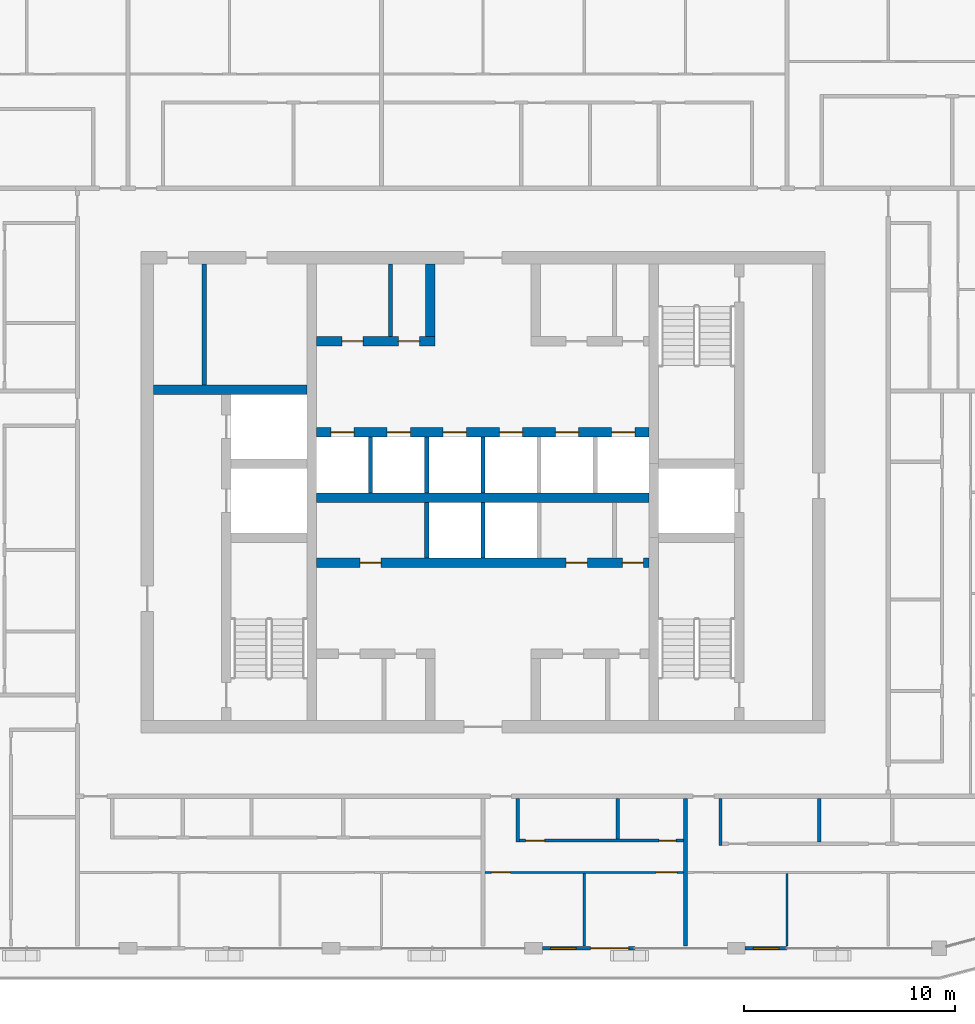
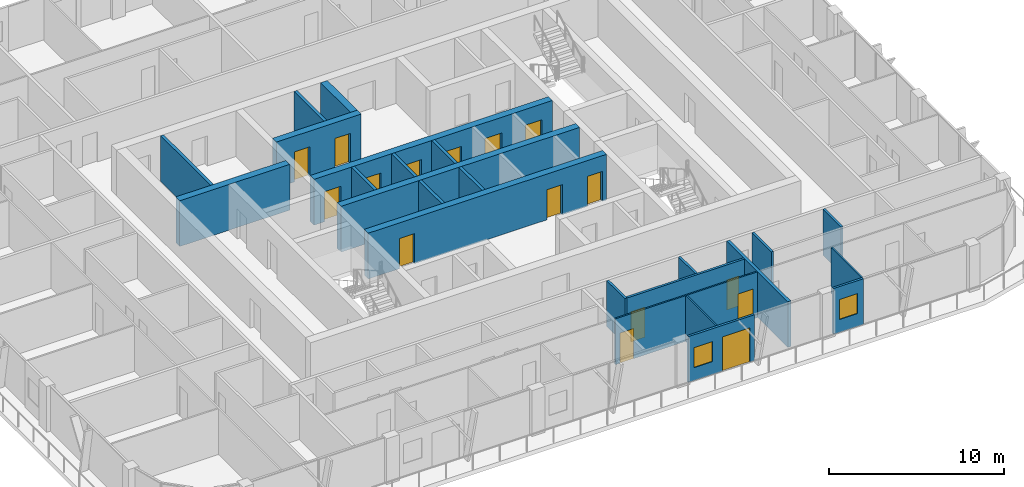
# One storey, part 11 of 21: 24 walls, 16 doors, 2 windows, 18 openings.
"""IFC4 building model written with IfcOpenShell, lengths in metres."""

import ifcopenshell
import ifcopenshell.guid

model = None  # the IFC model being written
_history = None  # IfcOwnerHistory: only IFC2X3 demands one
_inside = {}  # id of a spatial element -> (the spatial element, [elements in it])
_under = {}  # id of a project, library or spatial element -> (it, [spatial elements below it])
_declared = {}  # id of a project -> (the project, [libraries it declares])
_typed = {}  # id of a type object -> (the type object, [elements of that type])
_made_of = {}  # id of a material, layer set ... -> (it, [elements and type objects made of it])


def new_model(schema):
    """Start an empty IFC model of exactly this schema.

    Asked for "IFC4X3", IfcOpenShell would pick the latest addendum, in which some entities
    have other attributes; the version numbers below select the first issue.
    IFC2X3 requires an IfcOwnerHistory on every rooted entity: one is made here for all.
    """
    global model, _history
    if schema == "IFC4X3":
        model = ifcopenshell.file(schema_version=(4, 3, 0, 0))
    else:
        model = ifcopenshell.file(schema=schema)
    _inside.clear()
    _under.clear()
    _declared.clear()
    _typed.clear()
    _made_of.clear()
    _history = None
    if model.schema == "IFC2X3":
        org = make("IfcOrganization", Name="unknown")
        user = make(
            "IfcPersonAndOrganization",
            ThePerson=make("IfcPerson", FamilyName="unknown"),
            TheOrganization=org,
        )
        app = make(
            "IfcApplication",
            ApplicationDeveloper=org,
            Version="unknown",
            ApplicationFullName="unknown",
            ApplicationIdentifier="unknown",
        )
        _history = make(
            "IfcOwnerHistory",
            OwningUser=user,
            OwningApplication=app,
            ChangeAction="ADDED",
            CreationDate=0,
        )
    return model


def make(cls, **values):
    """One entity of the class cls with the attributes given. An attribute that is None is left unset."""
    return model.create_entity(
        cls, **{name: value for name, value in values.items() if value is not None}
    )


def rooted(cls, **values):
    """An entity with a GlobalId (a new one), such as an element, a storey or a relation."""
    return make(cls, GlobalId=ifcopenshell.guid.new(), OwnerHistory=_history, **values)


def si_unit(unit_type, name, prefix=None):
    """IfcSIUnit, for example si_unit("LENGTHUNIT", "METRE", prefix="MILLI")."""
    return make("IfcSIUnit", UnitType=unit_type, Prefix=prefix, Name=name)


def assignment(units):
    """IfcUnitAssignment: the units of a project."""
    return None if units is None else make("IfcUnitAssignment", Units=units)


def point(xyz):
    """IfcCartesianPoint."""
    return None if xyz is None else make("IfcCartesianPoint", Coordinates=xyz)


def direction(xyz):
    """IfcDirection."""
    return None if xyz is None else make("IfcDirection", DirectionRatios=xyz)


def frame(location, z_axis=None, x_axis=None):
    """IfcAxis2Placement3D, a coordinate frame: its origin and axes. An axis left out is left unset."""
    return make(
        "IfcAxis2Placement3D",
        Location=point(location),
        Axis=direction(z_axis),
        RefDirection=direction(x_axis),
    )


def frame_2d(location, x_axis=None):
    """IfcAxis2Placement2D, a coordinate frame in the plane: its origin and x axis."""
    return make(
        "IfcAxis2Placement2D", Location=point(location), RefDirection=direction(x_axis)
    )


def origin():
    """The frame at (0, 0, 0) with its axes left unset."""
    return frame((0.0, 0.0, 0.0))


def place(relative_to, where):
    """IfcLocalPlacement: puts the frame where relative to a parent placement (None: the world)."""
    return make(
        "IfcLocalPlacement", PlacementRelTo=relative_to, RelativePlacement=where
    )


def context(
    kind, dimensions, precision=None, world=None, true_north=None, identifier=None
):
    """IfcGeometricRepresentationContext, for example the 3D "Model" context."""
    return make(
        "IfcGeometricRepresentationContext",
        ContextIdentifier=identifier,
        ContextType=kind,
        CoordinateSpaceDimension=dimensions,
        Precision=precision,
        WorldCoordinateSystem=world,
        TrueNorth=true_north,
    )


def subcontext(parent, identifier, kind, view, scale=None):
    """IfcGeometricRepresentationSubContext, for example "Body" below "Model"."""
    return make(
        "IfcGeometricRepresentationSubContext",
        ContextIdentifier=identifier,
        ContextType=kind,
        ParentContext=parent,
        TargetScale=scale,
        TargetView=view,
    )


def project(units=None, contexts=None):
    """IfcProject with its units and contexts."""
    return rooted(
        "IfcProject",
        Name="project",
        RepresentationContexts=contexts,
        UnitsInContext=assignment(units),
    )


def spatial(cls, under=None, at=None, **own):
    """A site, building, storey or space (cls), placed at a placement, below another one or the project."""
    s = rooted(cls, ObjectPlacement=at, **own)
    if under is not None:
        _under.setdefault(under.id(), (under, []))[1].append(s)
    return s


def profile(cls, at=None, kind="AREA", **sizes):
    """A parametric profile (cls). Its sizes go by their IFC names, for example OverallWidth=200.0."""
    return make(cls, ProfileType=kind, Position=at, **sizes)


def rectangle(**sizes):
    """IfcRectangleProfileDef."""
    return profile("IfcRectangleProfileDef", **sizes)


def extrude(swept, where, along, depth):
    """IfcExtrudedAreaSolid: the profile swept, set in the frame where, extruded along a direction by depth."""
    return make(
        "IfcExtrudedAreaSolid",
        SweptArea=swept,
        Position=where,
        ExtrudedDirection=direction(along),
        Depth=depth,
    )


def shape(context_of_items, identifier, shape_type, items):
    """IfcShapeRepresentation: the items that make up one representation, for example the "Body"."""
    return make(
        "IfcShapeRepresentation",
        ContextOfItems=context_of_items,
        RepresentationIdentifier=identifier,
        RepresentationType=shape_type,
        Items=items,
    )


def material(Name=None, Category=None):
    """IfcMaterial."""
    return make("IfcMaterial", Name=Name, Category=Category)


def layer(
    of_material, thickness, ventilated=None, Name=None, Category=None, Priority=None
):
    """IfcMaterialLayer: one layer of a wall or slab, of a material (None: an air gap)."""
    return make(
        "IfcMaterialLayer",
        Material=of_material,
        LayerThickness=thickness,
        IsVentilated=ventilated,
        Name=Name,
        Category=Category,
        Priority=Priority,
    )


def layer_set(layers, Name=None):
    """IfcMaterialLayerSet."""
    return make("IfcMaterialLayerSet", MaterialLayers=layers, LayerSetName=Name)


def made_of(thing, what):
    """Note that an element or type object is made of a material, layer set ...; save() writes the relation."""
    if what is not None:
        _made_of.setdefault(what.id(), (what, []))[1].append(thing)
    return thing


def type_object(cls, material=None, **own):
    """A type object (cls), such as IfcWallType, which elements share."""
    return made_of(rooted(cls, **own), material)


def element(
    cls,
    number,
    at=None,
    inside=None,
    cuts=None,
    type_object=None,
    material=None,
    context=None,
    identifier="Body",
    shape_type=None,
    held_by="IfcProductDefinitionShape",
    body=None,
    shapes=None,
    **own,
):
    """One element of the class cls, such as IfcWall. Its Tag is "e" and its number.

    at: its placement. inside: the storey or other place that contains it. cuts: it is an
    opening in that element (IfcRelVoidsElement). A single representation is given by context,
    identifier, shape_type and body (its items); several are given by shapes. held_by: the class
    of the entity that holds the representations. save() writes the other relations.
    """
    e = rooted(cls, Tag="e%d" % number, ObjectPlacement=at, **own)
    if body is not None:
        shapes = [shape(context, identifier, shape_type, body)]
    if shapes is not None:
        e.Representation = make(held_by, Representations=shapes)
    if inside is not None:
        _inside.setdefault(inside.id(), (inside, []))[1].append(e)
    if cuts is not None:
        rooted(
            "IfcRelVoidsElement", RelatingBuildingElement=cuts, RelatedOpeningElement=e
        )
    if type_object is not None:
        _typed.setdefault(type_object.id(), (type_object, []))[1].append(e)
    return made_of(e, material)


def fill(opening, filler):
    """IfcRelFillsElement: the door or window that sits in an opening."""
    return rooted(
        "IfcRelFillsElement",
        RelatingOpeningElement=opening,
        RelatedBuildingElement=filler,
    )


def aggregate(whole, parts):
    """IfcRelAggregates: a whole, such as a stair, and the parts it consists of."""
    return rooted("IfcRelAggregates", RelatingObject=whole, RelatedObjects=parts)


def save(model, path):
    """Write the relations noted so far, then the file.

    IfcRelAggregates (storeys below a building ...), IfcRelContainedInSpatialStructure (elements
    in a storey), IfcRelDefinesByType, IfcRelAssociatesMaterial and IfcRelDeclares: one each for
    every whole, place, type object, material and project.
    """
    for whole, parts in _under.values():
        aggregate(whole, parts)
    for where, things in _inside.values():
        rooted(
            "IfcRelContainedInSpatialStructure",
            RelatedElements=things,
            RelatingStructure=where,
        )
    for kind, things in _typed.values():
        rooted("IfcRelDefinesByType", RelatedObjects=things, RelatingType=kind)
    for what, things in _made_of.values():
        rooted("IfcRelAssociatesMaterial", RelatedObjects=things, RelatingMaterial=what)
    for by, libraries in _declared.values():
        rooted("IfcRelDeclares", RelatingContext=by, RelatedDefinitions=libraries)
    model.write(path)


model = new_model("IFC4")

# Units and contexts
model_context = context("Model", 3, precision=1e-05, world=origin(), true_north=direction((0.0, 1.0)))
body_context = subcontext(model_context, "Body", "Model", "MODEL_VIEW")
ifc_project = project(units=[si_unit("LENGTHUNIT", "METRE"), si_unit("AREAUNIT", "SQUARE_METRE"), si_unit("VOLUMEUNIT", "CUBIC_METRE"), si_unit("PLANEANGLEUNIT", "RADIAN"), si_unit("MASSUNIT", "GRAM", prefix="KILO")], contexts=[model_context])

# Site, building, storey
site_placement = place(None, origin())
site = spatial("IfcSite", under=ifc_project, at=site_placement, CompositionType="ELEMENT")
building_placement = place(site_placement, origin())
building = spatial("IfcBuilding", under=site, at=building_placement, Name="Madar Terraces", CompositionType="ELEMENT")
storey_placement = place(building_placement, frame((0.0, 0.0, 238.699951171875)))
storey = spatial("IfcBuildingStorey", under=building, at=storey_placement, Name="L62", CompositionType="ELEMENT", Elevation=238.699951171875)

# Wall
ifc_material_1 = material(Name="Concrete C55/67", Category="concrete")
ifc_layer_1 = layer(ifc_material_1, 0.449951171875)
ifc_layer_set_1 = layer_set([ifc_layer_1], Name="Concrete C55/67 (CIW5 RC wall 450)")
wall_type_1 = type_object("IfcWallType", Name="CIW5 RC wall 450", PredefinedType="SHEAR", material=ifc_layer_set_1)
wall_1_placement = place(storey_placement, frame((15.60009765625, 31.25, 0.0), z_axis=(0.0, 0.0, 1.0), x_axis=(1.0, 0.0, 0.0)))
element("IfcWall", 1, at=wall_1_placement, inside=storey, type_object=wall_type_1, Name="CORE SHAFT WALL", PredefinedType="SHEAR", context=body_context, shape_type="SweptSolid", body=[
    extrude(rectangle(XDim=7.27490234375, YDim=0.449951171875, at=frame_2d((3.637451171875, 0.0))), origin(), (0.0, 0.0, 1.0), 3.199951171875),
])

# Wall, openings, doors
wall_2_placement = place(storey_placement, frame((23.324951171875, 23.050048828125, 0.0), z_axis=(0.0, 0.0, 1.0), x_axis=(1.0, 0.0, 0.0)))
wall_2 = element("IfcWall", 2, at=wall_2_placement, inside=storey, type_object=wall_type_1, Name="CORE SHAFT WALL", PredefinedType="SHEAR", context=body_context, shape_type="SweptSolid", body=[
    extrude(rectangle(XDim=15.75, YDim=0.449951171875, at=frame_2d((7.875, 0.0))), origin(), (0.0, 0.0, 1.0), 3.199951171875),
])
opening_1_placement = place(wall_2_placement, frame((2.058349609375, 0.0, 0.0)))
opening_1 = element("IfcOpeningElement", 3, at=opening_1_placement, cuts=wall_2, Name="Opening KD2", PredefinedType="OPENING", context=body_context, shape_type="SweptSolid", body=[
    extrude(rectangle(XDim=1.0, YDim=2.10009765625, at=frame_2d((0.5, 1.050048828125))), frame((0.0, 0.23486328125, 0.0), z_axis=(0.0, -1.0, 0.0), x_axis=(1.0, 0.0, 0.0)), (0.0, 0.0, 1.0), 0.469970703125),
])
opening_2_placement = place(wall_2_placement, frame((11.822998046875, 0.0, 0.0)))
opening_2 = element("IfcOpeningElement", 4, at=opening_2_placement, cuts=wall_2, Name="Opening KD2", PredefinedType="OPENING", context=body_context, shape_type="SweptSolid", body=[
    extrude(rectangle(XDim=1.0, YDim=2.10009765625, at=frame_2d((0.5, 1.050048828125))), frame((0.0, 0.23486328125, 0.0), z_axis=(0.0, -1.0, 0.0), x_axis=(1.0, 0.0, 0.0)), (0.0, 0.0, 1.0), 0.469970703125),
])
opening_3_placement = place(wall_2_placement, frame((14.4814453125, 0.0, 0.0)))
opening_3 = element("IfcOpeningElement", 5, at=opening_3_placement, cuts=wall_2, Name="Opening KD2", PredefinedType="OPENING", context=body_context, shape_type="SweptSolid", body=[
    extrude(rectangle(XDim=1.0, YDim=2.10009765625, at=frame_2d((0.5, 1.050048828125))), frame((0.0, 0.23486328125, 0.0), z_axis=(0.0, -1.0, 0.0), x_axis=(1.0, 0.0, 0.0)), (0.0, 0.0, 1.0), 0.469970703125),
])
ifc_material_2 = material(Name="Steel door leaf", Category="steel")
door_type_1 = type_object("IfcDoorType", Name="Service room door 1000 x 2100", OperationType="NOTDEFINED", PredefinedType="DOOR", material=ifc_material_2)
door_1_placement = place(opening_1_placement, frame((1.0, 0.0, 0.0), z_axis=(0.0, 0.0, 1.0), x_axis=(-1.0, 0.0, 0.0)))
door_1 = element("IfcDoor", 6, at=door_1_placement, inside=storey, type_object=door_type_1, Name="SERVICE ROOM DOOR", OperationType="SINGLE_SWING_LEFT", OverallHeight=2.10009765625, OverallWidth=1.0, PredefinedType="DOOR", context=body_context, shape_type="SweptSolid", body=[
    extrude(rectangle(XDim=1.0, YDim=2.10009765625, at=frame_2d((0.5, 1.050048828125))), frame((0.0, 0.02490234375, 0.0), z_axis=(0.0, -1.0, 0.0), x_axis=(1.0, 0.0, 0.0)), (0.0, 0.0, 1.0), 0.050048828125),
])
fill(opening_1, door_1)
door_2_placement = place(opening_2_placement, frame((1.0, 0.0, 0.0), z_axis=(0.0, 0.0, 1.0), x_axis=(-1.0, 0.0, 0.0)))
door_2 = element("IfcDoor", 7, at=door_2_placement, inside=storey, type_object=door_type_1, Name="SERVICE ROOM DOOR", OperationType="SINGLE_SWING_RIGHT", OverallHeight=2.10009765625, OverallWidth=1.0, PredefinedType="DOOR", context=body_context, shape_type="SweptSolid", body=[
    extrude(rectangle(XDim=1.0, YDim=2.10009765625, at=frame_2d((0.5, 1.050048828125))), frame((0.0, 0.02490234375, 0.0), z_axis=(0.0, -1.0, 0.0), x_axis=(1.0, 0.0, 0.0)), (0.0, 0.0, 1.0), 0.050048828125),
])
fill(opening_2, door_2)
door_3_placement = place(opening_3_placement, frame((1.0, 0.0, 0.0), z_axis=(0.0, 0.0, 1.0), x_axis=(-1.0, 0.0, 0.0)))
door_3 = element("IfcDoor", 8, at=door_3_placement, inside=storey, type_object=door_type_1, Name="SERVICE ROOM DOOR", OperationType="SINGLE_SWING_LEFT", OverallHeight=2.10009765625, OverallWidth=1.0, PredefinedType="DOOR", context=body_context, shape_type="SweptSolid", body=[
    extrude(rectangle(XDim=1.0, YDim=2.10009765625, at=frame_2d((0.5, 1.050048828125))), frame((0.0, 0.02490234375, 0.0), z_axis=(0.0, -1.0, 0.0), x_axis=(1.0, 0.0, 0.0)), (0.0, 0.0, 1.0), 0.050048828125),
])
fill(opening_3, door_3)

# Wall
wall_3_placement = place(storey_placement, frame((23.324951171875, 26.14990234375, 0.0), z_axis=(0.0, 0.0, 1.0), x_axis=(1.0, 0.0, 0.0)))
element("IfcWall", 9, at=wall_3_placement, inside=storey, type_object=wall_type_1, Name="CORE SHAFT WALL", PredefinedType="SHEAR", context=body_context, shape_type="SweptSolid", body=[
    extrude(rectangle(XDim=15.75, YDim=0.449951171875, at=frame_2d((7.875, 0.0))), origin(), (0.0, 0.0, 1.0), 3.199951171875),
])

# Wall, openings, doors
wall_4_placement = place(storey_placement, frame((23.324951171875, 29.25, 0.0), z_axis=(0.0, 0.0, 1.0), x_axis=(1.0, 0.0, 0.0)))
wall_4 = element("IfcWall", 10, at=wall_4_placement, inside=storey, type_object=wall_type_1, Name="CORE SHAFT WALL", PredefinedType="SHEAR", context=body_context, shape_type="SweptSolid", body=[
    extrude(rectangle(XDim=15.75, YDim=0.449951171875, at=frame_2d((7.875, 0.0))), origin(), (0.0, 0.0, 1.0), 3.199951171875),
])
opening_4_placement = place(wall_4_placement, frame((0.67919921875, 0.0, 0.0)))
opening_4 = element("IfcOpeningElement", 11, at=opening_4_placement, cuts=wall_4, Name="Opening LD", PredefinedType="OPENING", context=body_context, shape_type="SweptSolid", body=[
    extrude(rectangle(XDim=1.10009765625, YDim=2.10009765625, at=frame_2d((0.550048828125, 1.050048828125))), frame((0.0, 0.23486328125, 0.0), z_axis=(0.0, -1.0, 0.0), x_axis=(1.0, 0.0, 0.0)), (0.0, 0.0, 1.0), 0.469970703125),
])
opening_5_placement = place(wall_4_placement, frame((3.33740234375, 0.0, 0.0)))
opening_5 = element("IfcOpeningElement", 12, at=opening_5_placement, cuts=wall_4, Name="Opening LD", PredefinedType="OPENING", context=body_context, shape_type="SweptSolid", body=[
    extrude(rectangle(XDim=1.10009765625, YDim=2.10009765625, at=frame_2d((0.550048828125, 1.050048828125))), frame((0.0, 0.23486328125, 0.0), z_axis=(0.0, -1.0, 0.0), x_axis=(1.0, 0.0, 0.0)), (0.0, 0.0, 1.0), 0.469970703125),
])
opening_6_placement = place(wall_4_placement, frame((5.995849609375, 0.0, 0.0)))
opening_6 = element("IfcOpeningElement", 13, at=opening_6_placement, cuts=wall_4, Name="Opening LD", PredefinedType="OPENING", context=body_context, shape_type="SweptSolid", body=[
    extrude(rectangle(XDim=1.10009765625, YDim=2.10009765625, at=frame_2d((0.550048828125, 1.050048828125))), frame((0.0, 0.23486328125, 0.0), z_axis=(0.0, -1.0, 0.0), x_axis=(1.0, 0.0, 0.0)), (0.0, 0.0, 1.0), 0.469970703125),
])
opening_7_placement = place(wall_4_placement, frame((8.654052734375, 0.0, 0.0)))
opening_7 = element("IfcOpeningElement", 14, at=opening_7_placement, cuts=wall_4, Name="Opening LD", PredefinedType="OPENING", context=body_context, shape_type="SweptSolid", body=[
    extrude(rectangle(XDim=1.10009765625, YDim=2.10009765625, at=frame_2d((0.550048828125, 1.050048828125))), frame((0.0, 0.23486328125, 0.0), z_axis=(0.0, -1.0, 0.0), x_axis=(1.0, 0.0, 0.0)), (0.0, 0.0, 1.0), 0.469970703125),
])
opening_8_placement = place(wall_4_placement, frame((11.3125, 0.0, 0.0)))
opening_8 = element("IfcOpeningElement", 15, at=opening_8_placement, cuts=wall_4, Name="Opening LD", PredefinedType="OPENING", context=body_context, shape_type="SweptSolid", body=[
    extrude(rectangle(XDim=1.10009765625, YDim=2.10009765625, at=frame_2d((0.550048828125, 1.050048828125))), frame((0.0, 0.23486328125, 0.0), z_axis=(0.0, -1.0, 0.0), x_axis=(1.0, 0.0, 0.0)), (0.0, 0.0, 1.0), 0.469970703125),
])
opening_9_placement = place(wall_4_placement, frame((13.970947265625, 0.0, 0.0)))
opening_9 = element("IfcOpeningElement", 16, at=opening_9_placement, cuts=wall_4, Name="Opening LD", PredefinedType="OPENING", context=body_context, shape_type="SweptSolid", body=[
    extrude(rectangle(XDim=1.10009765625, YDim=2.10009765625, at=frame_2d((0.550048828125, 1.050048828125))), frame((0.0, 0.23486328125, 0.0), z_axis=(0.0, -1.0, 0.0), x_axis=(1.0, 0.0, 0.0)), (0.0, 0.0, 1.0), 0.469970703125),
])
ifc_material_3 = material(Name="Stainless steel panel", Category="steel")
door_type_2 = type_object("IfcDoorType", Name="Lift landing door 1100 x 2100", OperationType="DOUBLE_DOOR_SLIDING", PredefinedType="DOOR", material=ifc_material_3)
door_4_placement = place(opening_4_placement, origin())
door_4 = element("IfcDoor", 17, at=door_4_placement, inside=storey, type_object=door_type_2, Name="LIFT LANDING DOOR", OperationType="DOUBLE_DOOR_SLIDING", OverallHeight=2.10009765625, OverallWidth=1.10009765625, PredefinedType="DOOR", context=body_context, shape_type="SweptSolid", body=[
    extrude(rectangle(XDim=1.10009765625, YDim=2.10009765625, at=frame_2d((0.550048828125, 1.050048828125))), frame((0.0, 0.02490234375, 0.0), z_axis=(0.0, -1.0, 0.0), x_axis=(1.0, 0.0, 0.0)), (0.0, 0.0, 1.0), 0.050048828125),
])
fill(opening_4, door_4)
door_5_placement = place(opening_5_placement, origin())
door_5 = element("IfcDoor", 18, at=door_5_placement, inside=storey, type_object=door_type_2, Name="LIFT LANDING DOOR", OperationType="DOUBLE_DOOR_SLIDING", OverallHeight=2.10009765625, OverallWidth=1.10009765625, PredefinedType="DOOR", context=body_context, shape_type="SweptSolid", body=[
    extrude(rectangle(XDim=1.10009765625, YDim=2.10009765625, at=frame_2d((0.550048828125, 1.050048828125))), frame((0.0, 0.02490234375, 0.0), z_axis=(0.0, -1.0, 0.0), x_axis=(1.0, 0.0, 0.0)), (0.0, 0.0, 1.0), 0.050048828125),
])
fill(opening_5, door_5)
door_6_placement = place(opening_6_placement, origin())
door_6 = element("IfcDoor", 19, at=door_6_placement, inside=storey, type_object=door_type_2, Name="LIFT LANDING DOOR", OperationType="DOUBLE_DOOR_SLIDING", OverallHeight=2.10009765625, OverallWidth=1.10009765625, PredefinedType="DOOR", context=body_context, shape_type="SweptSolid", body=[
    extrude(rectangle(XDim=1.10009765625, YDim=2.10009765625, at=frame_2d((0.550048828125, 1.050048828125))), frame((0.0, 0.02490234375, 0.0), z_axis=(0.0, -1.0, 0.0), x_axis=(1.0, 0.0, 0.0)), (0.0, 0.0, 1.0), 0.050048828125),
])
fill(opening_6, door_6)
door_7_placement = place(opening_7_placement, origin())
door_7 = element("IfcDoor", 20, at=door_7_placement, inside=storey, type_object=door_type_2, Name="LIFT LANDING DOOR", OperationType="DOUBLE_DOOR_SLIDING", OverallHeight=2.10009765625, OverallWidth=1.10009765625, PredefinedType="DOOR", context=body_context, shape_type="SweptSolid", body=[
    extrude(rectangle(XDim=1.10009765625, YDim=2.10009765625, at=frame_2d((0.550048828125, 1.050048828125))), frame((0.0, 0.02490234375, 0.0), z_axis=(0.0, -1.0, 0.0), x_axis=(1.0, 0.0, 0.0)), (0.0, 0.0, 1.0), 0.050048828125),
])
fill(opening_7, door_7)
door_8_placement = place(opening_8_placement, origin())
door_8 = element("IfcDoor", 21, at=door_8_placement, inside=storey, type_object=door_type_2, Name="LIFT LANDING DOOR", OperationType="DOUBLE_DOOR_SLIDING", OverallHeight=2.10009765625, OverallWidth=1.10009765625, PredefinedType="DOOR", context=body_context, shape_type="SweptSolid", body=[
    extrude(rectangle(XDim=1.10009765625, YDim=2.10009765625, at=frame_2d((0.550048828125, 1.050048828125))), frame((0.0, 0.02490234375, 0.0), z_axis=(0.0, -1.0, 0.0), x_axis=(1.0, 0.0, 0.0)), (0.0, 0.0, 1.0), 0.050048828125),
])
fill(opening_8, door_8)
door_9_placement = place(opening_9_placement, origin())
door_9 = element("IfcDoor", 22, at=door_9_placement, inside=storey, type_object=door_type_2, Name="LIFT LANDING DOOR", OperationType="DOUBLE_DOOR_SLIDING", OverallHeight=2.10009765625, OverallWidth=1.10009765625, PredefinedType="DOOR", context=body_context, shape_type="SweptSolid", body=[
    extrude(rectangle(XDim=1.10009765625, YDim=2.10009765625, at=frame_2d((0.550048828125, 1.050048828125))), frame((0.0, 0.02490234375, 0.0), z_axis=(0.0, -1.0, 0.0), x_axis=(1.0, 0.0, 0.0)), (0.0, 0.0, 1.0), 0.050048828125),
])
fill(opening_9, door_9)

wall_5_placement = place(storey_placement, frame((23.324951171875, 33.550048828125, 0.0), z_axis=(0.0, 0.0, 1.0), x_axis=(1.0, 0.0, 0.0)))
wall_5 = element("IfcWall", 23, at=wall_5_placement, inside=storey, type_object=wall_type_1, Name="CORE SHAFT WALL", PredefinedType="SHEAR", context=body_context, shape_type="SweptSolid", body=[
    extrude(rectangle(XDim=5.60009765625, YDim=0.449951171875, at=frame_2d((2.800048828125, 0.0))), origin(), (0.0, 0.0, 1.0), 3.199951171875),
])
opening_10_placement = place(wall_5_placement, frame((1.200927734375, 0.0, 0.0)))
opening_10 = element("IfcOpeningElement", 24, at=opening_10_placement, cuts=wall_5, Name="Opening KD2", PredefinedType="OPENING", context=body_context, shape_type="SweptSolid", body=[
    extrude(rectangle(XDim=1.0, YDim=2.10009765625, at=frame_2d((0.5, 1.050048828125))), frame((0.0, 0.23486328125, 0.0), z_axis=(0.0, -1.0, 0.0), x_axis=(1.0, 0.0, 0.0)), (0.0, 0.0, 1.0), 0.469970703125),
])
opening_11_placement = place(wall_5_placement, frame((3.8759765625, 0.0, 0.0)))
opening_11 = element("IfcOpeningElement", 25, at=opening_11_placement, cuts=wall_5, Name="Opening KD2", PredefinedType="OPENING", context=body_context, shape_type="SweptSolid", body=[
    extrude(rectangle(XDim=1.0, YDim=2.10009765625, at=frame_2d((0.5, 1.050048828125))), frame((0.0, 0.23486328125, 0.0), z_axis=(0.0, -1.0, 0.0), x_axis=(1.0, 0.0, 0.0)), (0.0, 0.0, 1.0), 0.469970703125),
])
door_10_placement = place(opening_10_placement, frame((1.0, 0.0, 0.0), z_axis=(0.0, 0.0, 1.0), x_axis=(-1.0, 0.0, 0.0)))
door_10 = element("IfcDoor", 26, at=door_10_placement, inside=storey, type_object=door_type_1, Name="SERVICE ROOM DOOR", OperationType="SINGLE_SWING_RIGHT", OverallHeight=2.10009765625, OverallWidth=1.0, PredefinedType="DOOR", context=body_context, shape_type="SweptSolid", body=[
    extrude(rectangle(XDim=1.0, YDim=2.10009765625, at=frame_2d((0.5, 1.050048828125))), frame((0.0, 0.02490234375, 0.0), z_axis=(0.0, -1.0, 0.0), x_axis=(1.0, 0.0, 0.0)), (0.0, 0.0, 1.0), 0.050048828125),
])
fill(opening_10, door_10)
door_11_placement = place(opening_11_placement, frame((1.0, 0.0, 0.0), z_axis=(0.0, 0.0, 1.0), x_axis=(-1.0, 0.0, 0.0)))
door_11 = element("IfcDoor", 27, at=door_11_placement, inside=storey, type_object=door_type_1, Name="SERVICE ROOM DOOR", OperationType="SINGLE_SWING_LEFT", OverallHeight=2.10009765625, OverallWidth=1.0, PredefinedType="DOOR", context=body_context, shape_type="SweptSolid", body=[
    extrude(rectangle(XDim=1.0, YDim=2.10009765625, at=frame_2d((0.5, 1.050048828125))), frame((0.0, 0.02490234375, 0.0), z_axis=(0.0, -1.0, 0.0), x_axis=(1.0, 0.0, 0.0)), (0.0, 0.0, 1.0), 0.050048828125),
])
fill(opening_11, door_11)

# Walls
wall_6_placement = place(storey_placement, frame((28.699951171875, 33.77490234375, 0.0), z_axis=(0.0, 0.0, 1.0), x_axis=(0.0, 1.0, 0.0)))
element("IfcWall", 28, at=wall_6_placement, inside=storey, type_object=wall_type_1, Name="CORE SHAFT WALL", PredefinedType="SHEAR", context=body_context, shape_type="SweptSolid", body=[
    extrude(rectangle(XDim=3.425048828125, YDim=0.449951171875, at=frame_2d((1.71240234375, 0.0))), origin(), (0.0, 0.0, 1.0), 3.199951171875),
])
ifc_material_4 = material(Name="Masonry blockwork", Category="masonry")
ifc_layer_2 = layer(ifc_material_4, 0.199951171875)
ifc_layer_set_2 = layer_set([ifc_layer_2], Name="Core partition 200 blockwork")
wall_type_2 = type_object("IfcWallType", Name="Core partition 200 blockwork", PredefinedType="PARTITIONING", material=ifc_layer_set_2)
wall_7_placement = place(storey_placement, frame((18.000732421875, 31.47509765625, 0.0), z_axis=(0.0, 0.0, 1.0), x_axis=(0.0, 1.0, 0.0)))
element("IfcWall", 29, at=wall_7_placement, inside=storey, type_object=wall_type_2, Name="SERVICE ROOM PARTITION", PredefinedType="PARTITIONING", context=body_context, shape_type="SweptSolid", body=[
    extrude(rectangle(XDim=5.724853515625, YDim=0.199951171875, at=frame_2d((2.8623046875, 0.0))), origin(), (0.0, 0.0, 1.0), 3.199951171875),
])
wall_8_placement = place(storey_placement, frame((26.826904296875, 33.77490234375, 0.0), z_axis=(0.0, 0.0, 1.0), x_axis=(0.0, 1.0, 0.0)))
element("IfcWall", 30, at=wall_8_placement, inside=storey, type_object=wall_type_2, Name="SERVICE ROOM PARTITION", PredefinedType="PARTITIONING", context=body_context, shape_type="SweptSolid", body=[
    extrude(rectangle(XDim=3.425048828125, YDim=0.199951171875, at=frame_2d((1.71240234375, 0.0))), origin(), (0.0, 0.0, 1.0), 3.199951171875),
])
ifc_material_5 = material(Name="Concrete C40/50", Category="concrete")
ifc_layer_3 = layer(ifc_material_5, 0.199951171875)
ifc_layer_set_3 = layer_set([ifc_layer_3], Name="Core shaft dividing wall 200 C40/50")
wall_type_3 = type_object("IfcWallType", Name="Core shaft dividing wall 200 C40/50", PredefinedType="SOLIDWALL", material=ifc_layer_set_3)
wall_9_placement = place(storey_placement, frame((25.88330078125, 26.375, 0.0), z_axis=(0.0, 0.0, 1.0), x_axis=(0.0, 1.0, 0.0)))
element("IfcWall", 31, at=wall_9_placement, inside=storey, type_object=wall_type_3, Name="SHAFT DIVIDING WALL", PredefinedType="SOLIDWALL", context=body_context, shape_type="SweptSolid", body=[
    extrude(rectangle(XDim=2.64990234375, YDim=0.199951171875, at=frame_2d((1.324951171875, 0.0))), origin(), (0.0, 0.0, 1.0), 3.199951171875),
])
wall_10_placement = place(storey_placement, frame((28.541748046875, 23.27490234375, 0.0), z_axis=(0.0, 0.0, 1.0), x_axis=(0.0, 1.0, 0.0)))
element("IfcWall", 32, at=wall_10_placement, inside=storey, type_object=wall_type_3, Name="SHAFT DIVIDING WALL", PredefinedType="SOLIDWALL", context=body_context, shape_type="SweptSolid", body=[
    extrude(rectangle(XDim=2.650146484375, YDim=0.199951171875, at=frame_2d((1.3251953125, 0.0))), origin(), (0.0, 0.0, 1.0), 3.199951171875),
])
wall_11_placement = place(storey_placement, frame((28.541748046875, 26.375, 0.0), z_axis=(0.0, 0.0, 1.0), x_axis=(0.0, 1.0, 0.0)))
element("IfcWall", 33, at=wall_11_placement, inside=storey, type_object=wall_type_3, Name="SHAFT DIVIDING WALL", PredefinedType="SOLIDWALL", context=body_context, shape_type="SweptSolid", body=[
    extrude(rectangle(XDim=2.64990234375, YDim=0.199951171875, at=frame_2d((1.324951171875, 0.0))), origin(), (0.0, 0.0, 1.0), 3.199951171875),
])
wall_12_placement = place(storey_placement, frame((31.199951171875, 23.27490234375, 0.0), z_axis=(0.0, 0.0, 1.0), x_axis=(0.0, 1.0, 0.0)))
element("IfcWall", 34, at=wall_12_placement, inside=storey, type_object=wall_type_3, Name="SHAFT DIVIDING WALL", PredefinedType="SOLIDWALL", context=body_context, shape_type="SweptSolid", body=[
    extrude(rectangle(XDim=2.650146484375, YDim=0.199951171875, at=frame_2d((1.3251953125, 0.0))), origin(), (0.0, 0.0, 1.0), 3.199951171875),
])
wall_13_placement = place(storey_placement, frame((31.199951171875, 26.375, 0.0), z_axis=(0.0, 0.0, 1.0), x_axis=(0.0, 1.0, 0.0)))
element("IfcWall", 35, at=wall_13_placement, inside=storey, type_object=wall_type_3, Name="SHAFT DIVIDING WALL", PredefinedType="SOLIDWALL", context=body_context, shape_type="SweptSolid", body=[
    extrude(rectangle(XDim=2.64990234375, YDim=0.199951171875, at=frame_2d((1.324951171875, 0.0))), origin(), (0.0, 0.0, 1.0), 3.199951171875),
])

# Wall, openings, door, window
ifc_material_6 = material(Name="Aluminium composite panel, black, over insulated backing", Category="aluminium")
ifc_layer_4 = layer(ifc_material_6, 0.14990234375)
ifc_layer_set_4 = layer_set([ifc_layer_4], Name="Facade bay panel 150")
wall_type_4 = type_object("IfcWallType", Name="Facade bay panel 150", PredefinedType="SOLIDWALL", material=ifc_layer_set_4)
wall_14_placement = place(storey_placement, frame((34.02490234375, 4.800048828125, 0.0), z_axis=(0.0, 0.0, 1.0), x_axis=(1.0, 0.0, 0.0)))
wall_14 = element("IfcWall", 36, at=wall_14_placement, inside=storey, type_object=wall_type_4, Name="Facade bay panel", PredefinedType="SOLIDWALL", context=body_context, shape_type="SweptSolid", body=[
    extrude(rectangle(XDim=4.375, YDim=0.14990234375, at=frame_2d((2.1875, 0.0))), origin(), (0.0, 0.0, 1.0), 3.199951171875),
])
opening_12_placement = place(wall_14_placement, frame((0.387451171875, 0.0, 0.89990234375)))
opening_12 = element("IfcOpeningElement", 37, at=opening_12_placement, cuts=wall_14, Name="Opening W1", PredefinedType="OPENING", context=body_context, shape_type="SweptSolid", body=[
    extrude(rectangle(XDim=1.199951171875, YDim=1.39990234375, at=frame_2d((0.60009765625, 0.699951171875))), frame((0.0, 0.0849609375, 0.0), z_axis=(0.0, -1.0, 0.0), x_axis=(1.0, 0.0, 0.0)), (0.0, 0.0, 1.0), 0.169921875),
])
opening_13_placement = place(wall_14_placement, frame((2.27490234375, 0.0, 0.0)))
opening_13 = element("IfcOpeningElement", 38, at=opening_13_placement, cuts=wall_14, Name="Opening ED1", PredefinedType="OPENING", context=body_context, shape_type="SweptSolid", body=[
    extrude(rectangle(XDim=1.800048828125, YDim=2.39990234375, at=frame_2d((0.89990234375, 1.199951171875))), frame((0.0, 0.0849609375, 0.0), z_axis=(0.0, -1.0, 0.0), x_axis=(1.0, 0.0, 0.0)), (0.0, 0.0, 1.0), 0.169921875),
])
ifc_material_7 = material(Name="Glass, clear, with black aluminium frame", Category="aluminium")
door_type_3 = type_object("IfcDoorType", Name="Balcony and terrace sliding door 1800 x 2400", OperationType="SLIDING_TO_LEFT", PredefinedType="DOOR", material=ifc_material_7)
door_12_placement = place(opening_13_placement, origin())
door_12 = element("IfcDoor", 39, at=door_12_placement, inside=storey, type_object=door_type_3, Name="Balcony door", OperationType="SLIDING_TO_RIGHT", OverallHeight=2.39990234375, OverallWidth=1.800048828125, PredefinedType="DOOR", context=body_context, shape_type="SweptSolid", body=[
    extrude(rectangle(XDim=1.800048828125, YDim=2.39990234375, at=frame_2d((0.89990234375, 1.199951171875))), frame((0.0, 0.02490234375, 0.0), z_axis=(0.0, -1.0, 0.0), x_axis=(1.0, 0.0, 0.0)), (0.0, 0.0, 1.0), 0.050048828125),
])
fill(opening_13, door_12)
ifc_material_8 = material(Name="Glass, clear, with black aluminium frame", Category="aluminium")
window_type = type_object("IfcWindowType", Name="Vent window 1200 x 1400", PartitioningType="SINGLE_PANEL", PredefinedType="WINDOW", material=ifc_material_8)
window_1_placement = place(opening_12_placement, origin())
window_1 = element("IfcWindow", 40, at=window_1_placement, inside=storey, type_object=window_type, Name="Operable vent window", OverallHeight=1.39990234375, OverallWidth=1.199951171875, PartitioningType="SINGLE_PANEL", PredefinedType="WINDOW", context=body_context, shape_type="SweptSolid", body=[
    extrude(rectangle(XDim=1.199951171875, YDim=1.39990234375, at=frame_2d((0.60009765625, 0.699951171875))), frame((0.0, 0.030029296875, 0.0), z_axis=(0.0, -1.0, 0.0), x_axis=(1.0, 0.0, 0.0)), (0.0, 0.0, 1.0), 0.06005859375),
])
fill(opening_12, window_1)

# Wall, opening, window
wall_15_placement = place(storey_placement, frame((43.625, 4.800048828125, 0.0), z_axis=(0.0, 0.0, 1.0), x_axis=(1.0, 0.0, 0.0)))
wall_15 = element("IfcWall", 41, at=wall_15_placement, inside=storey, type_object=wall_type_4, Name="Facade bay panel", PredefinedType="SOLIDWALL", context=body_context, shape_type="SweptSolid", body=[
    extrude(rectangle(XDim=1.97509765625, YDim=0.14990234375, at=frame_2d((0.987548828125, 0.0))), origin(), (0.0, 0.0, 1.0), 3.199951171875),
])
opening_14_placement = place(wall_15_placement, frame((0.387451171875, 0.0, 0.89990234375)))
opening_14 = element("IfcOpeningElement", 42, at=opening_14_placement, cuts=wall_15, Name="Opening W1", PredefinedType="OPENING", context=body_context, shape_type="SweptSolid", body=[
    extrude(rectangle(XDim=1.199951171875, YDim=1.39990234375, at=frame_2d((0.60009765625, 0.699951171875))), frame((0.0, 0.0849609375, 0.0), z_axis=(0.0, -1.0, 0.0), x_axis=(1.0, 0.0, 0.0)), (0.0, 0.0, 1.0), 0.169921875),
])
window_2_placement = place(opening_14_placement, origin())
window_2 = element("IfcWindow", 43, at=window_2_placement, inside=storey, type_object=window_type, Name="Operable vent window", OverallHeight=1.39990234375, OverallWidth=1.199951171875, PartitioningType="SINGLE_PANEL", PredefinedType="WINDOW", context=body_context, shape_type="SweptSolid", body=[
    extrude(rectangle(XDim=1.199951171875, YDim=1.39990234375, at=frame_2d((0.60009765625, 0.699951171875))), frame((0.0, 0.030029296875, 0.0), z_axis=(0.0, -1.0, 0.0), x_axis=(1.0, 0.0, 0.0)), (0.0, 0.0, 1.0), 0.06005859375),
])
fill(opening_14, window_2)

# Wall
ifc_material_9 = material(Name="Gypsum board on steel studs", Category="steel")
ifc_layer_5 = layer(ifc_material_9, 0.10009765625)
ifc_layer_set_5 = layer_set([ifc_layer_5], Name="Flat partition 100")
wall_type_5 = type_object("IfcWallType", Name="Flat partition 100", PredefinedType="PARTITIONING", material=ifc_layer_set_5)
wall_16_placement = place(storey_placement, frame((36.0, 8.35009765625, 0.0), z_axis=(0.0, 0.0, 1.0), x_axis=(0.0, -1.0, 0.0)))
element("IfcWall", 44, at=wall_16_placement, inside=storey, type_object=wall_type_5, Name="Flat partition 100", PredefinedType="PARTITIONING", context=body_context, shape_type="SweptSolid", body=[
    extrude(rectangle(XDim=3.4501953125, YDim=0.10009765625, at=frame_2d((1.72509765625, 0.0))), origin(), (0.0, 0.0, 1.0), 3.199951171875),
])

# Wall, openings, doors
wall_17_placement = place(storey_placement, frame((40.699951171875, 8.39990234375, 0.0), z_axis=(0.0, 0.0, 1.0), x_axis=(-1.0, 0.0, 0.0)))
wall_17 = element("IfcWall", 45, at=wall_17_placement, inside=storey, type_object=wall_type_5, Name="Flat partition 100", PredefinedType="PARTITIONING", context=body_context, shape_type="SweptSolid", body=[
    extrude(rectangle(XDim=9.39990234375, YDim=0.10009765625, at=frame_2d((4.699951171875, 0.0))), origin(), (0.0, 0.0, 1.0), 3.199951171875),
])
opening_15_placement = place(wall_17_placement, frame((8.199951171875, 0.0, 0.0)))
opening_15 = element("IfcOpeningElement", 46, at=opening_15_placement, cuts=wall_17, Name="Opening D2", PredefinedType="OPENING", context=body_context, shape_type="SweptSolid", body=[
    extrude(rectangle(XDim=0.89990234375, YDim=2.10009765625, at=frame_2d((0.449951171875, 1.050048828125))), frame((0.0, 0.06005859375, 0.0), z_axis=(0.0, -1.0, 0.0), x_axis=(1.0, 0.0, 0.0)), (0.0, 0.0, 1.0), 0.1201171875),
])
opening_16_placement = place(wall_17_placement, frame((0.300048828125, 0.0, 0.0)))
opening_16 = element("IfcOpeningElement", 47, at=opening_16_placement, cuts=wall_17, Name="Opening D3", PredefinedType="OPENING", context=body_context, shape_type="SweptSolid", body=[
    extrude(rectangle(XDim=1.0, YDim=2.10009765625, at=frame_2d((0.5, 1.050048828125))), frame((0.0, 0.06005859375, 0.0), z_axis=(0.0, -1.0, 0.0), x_axis=(1.0, 0.0, 0.0)), (0.0, 0.0, 1.0), 0.1201171875),
])
ifc_material_10 = material(Name="Timber door leaf", Category="wood")
door_type_4 = type_object("IfcDoorType", Name="Flat living room door 1000", OperationType="NOTDEFINED", PredefinedType="DOOR", material=ifc_material_10)
door_13_placement = place(opening_16_placement, origin())
door_13 = element("IfcDoor", 48, at=door_13_placement, inside=storey, type_object=door_type_4, Name="Flat living room door 1000", OperationType="SINGLE_SWING_LEFT", OverallHeight=2.10009765625, OverallWidth=1.0, PredefinedType="DOOR", context=body_context, shape_type="SweptSolid", body=[
    extrude(rectangle(XDim=1.0, YDim=2.10009765625, at=frame_2d((0.5, 1.050048828125))), frame((0.0, 0.02490234375, 0.0), z_axis=(0.0, -1.0, 0.0), x_axis=(1.0, 0.0, 0.0)), (0.0, 0.0, 1.0), 0.050048828125),
])
fill(opening_16, door_13)
ifc_material_11 = material(Name="Timber door leaf", Category="wood")
door_type_5 = type_object("IfcDoorType", Name="Flat room door 900", OperationType="NOTDEFINED", PredefinedType="DOOR", material=ifc_material_11)
door_14_placement = place(opening_15_placement, origin())
door_14 = element("IfcDoor", 49, at=door_14_placement, inside=storey, type_object=door_type_5, Name="Flat room door 900", OperationType="SINGLE_SWING_RIGHT", OverallHeight=2.10009765625, OverallWidth=0.89990234375, PredefinedType="DOOR", context=body_context, shape_type="SweptSolid", body=[
    extrude(rectangle(XDim=0.89990234375, YDim=2.10009765625, at=frame_2d((0.449951171875, 1.050048828125))), frame((0.0, 0.02490234375, 0.0), z_axis=(0.0, -1.0, 0.0), x_axis=(1.0, 0.0, 0.0)), (0.0, 0.0, 1.0), 0.050048828125),
])
fill(opening_15, door_14)

# Walls
wall_18_placement = place(storey_placement, frame((45.60009765625, 8.35009765625, 0.0), z_axis=(0.0, 0.0, 1.0), x_axis=(0.0, -1.0, 0.0)))
element("IfcWall", 50, at=wall_18_placement, inside=storey, type_object=wall_type_5, Name="Flat partition 100", PredefinedType="PARTITIONING", context=body_context, shape_type="SweptSolid", body=[
    extrude(rectangle(XDim=3.4501953125, YDim=0.10009765625, at=frame_2d((1.72509765625, 0.0))), origin(), (0.0, 0.0, 1.0), 3.199951171875),
])
ifc_material_12 = material(Name="Lightweight blockwork", Category="masonry")
ifc_layer_6 = layer(ifc_material_12, 0.199951171875)
ifc_layer_set_6 = layer_set([ifc_layer_6], Name="Flat party and entrance wall 200")
wall_type_6 = type_object("IfcWallType", Name="Flat party and entrance wall 200", PredefinedType="PARTITIONING", material=ifc_layer_set_6)
wall_19_placement = place(storey_placement, frame((40.800048828125, 11.89990234375, 0.0), z_axis=(0.0, 0.0, 1.0), x_axis=(0.0, -1.0, 0.0)))
element("IfcWall", 51, at=wall_19_placement, inside=storey, type_object=wall_type_6, Name="Flat party and entrance wall 200", PredefinedType="PARTITIONING", context=body_context, shape_type="SweptSolid", body=[
    extrude(rectangle(XDim=7.0, YDim=0.199951171875, at=frame_2d((3.5, 0.0))), origin(), (0.0, 0.0, 1.0), 3.199951171875),
])
ifc_material_13 = material(Name="Lightweight blockwork", Category="masonry")
ifc_layer_7 = layer(ifc_material_13, 0.14990234375)
ifc_layer_set_7 = layer_set([ifc_layer_7], Name="Flat wet-room partition 150")
wall_type_7 = type_object("IfcWallType", Name="Flat wet-room partition 150", PredefinedType="PARTITIONING", material=ifc_layer_set_7)
wall_20_placement = place(storey_placement, frame((37.590087890625, 11.89990234375, 0.0), z_axis=(0.0, 0.0, 1.0), x_axis=(0.0, -1.0, 0.0)))
element("IfcWall", 52, at=wall_20_placement, inside=storey, type_object=wall_type_7, Name="Flat wet-room partition 150", PredefinedType="PARTITIONING", context=body_context, shape_type="SweptSolid", body=[
    extrude(rectangle(XDim=1.9248046875, YDim=0.14990234375, at=frame_2d((0.96240234375, 0.0))), origin(), (0.0, 0.0, 1.0), 3.199951171875),
])
wall_21_placement = place(storey_placement, frame((32.85009765625, 11.89990234375, 0.0), z_axis=(0.0, 0.0, 1.0), x_axis=(0.0, -1.0, 0.0)))
element("IfcWall", 53, at=wall_21_placement, inside=storey, type_object=wall_type_7, Name="Flat wet-room partition 150", PredefinedType="PARTITIONING", context=body_context, shape_type="SweptSolid", body=[
    extrude(rectangle(XDim=2.074951171875, YDim=0.14990234375, at=frame_2d((1.03759765625, 0.0))), origin(), (0.0, 0.0, 1.0), 3.199951171875),
])

# Wall, openings, doors
wall_22_placement = place(storey_placement, frame((32.925048828125, 9.89990234375, 0.0), z_axis=(0.0, 0.0, 1.0), x_axis=(1.0, 0.0, 0.0)))
wall_22 = element("IfcWall", 54, at=wall_22_placement, inside=storey, type_object=wall_type_7, Name="Flat wet-room partition 150", PredefinedType="PARTITIONING", context=body_context, shape_type="SweptSolid", body=[
    extrude(rectangle(XDim=7.77490234375, YDim=0.14990234375, at=frame_2d((3.887451171875, 0.0))), origin(), (0.0, 0.0, 1.0), 3.199951171875),
])
opening_17_placement = place(wall_22_placement, frame((0.300048828125, 0.0, 0.0)))
opening_17 = element("IfcOpeningElement", 55, at=opening_17_placement, cuts=wall_22, Name="Opening D2", PredefinedType="OPENING", context=body_context, shape_type="SweptSolid", body=[
    extrude(rectangle(XDim=0.89990234375, YDim=2.10009765625, at=frame_2d((0.449951171875, 1.050048828125))), frame((0.0, 0.0849609375, 0.0), z_axis=(0.0, -1.0, 0.0), x_axis=(1.0, 0.0, 0.0)), (0.0, 0.0, 1.0), 0.169921875),
])
opening_18_placement = place(wall_22_placement, frame((6.625, 0.0, 0.0)))
opening_18 = element("IfcOpeningElement", 56, at=opening_18_placement, cuts=wall_22, Name="Opening D4", PredefinedType="OPENING", context=body_context, shape_type="SweptSolid", body=[
    extrude(rectangle(XDim=0.800048828125, YDim=2.10009765625, at=frame_2d((0.39990234375, 1.050048828125))), frame((0.0, 0.0849609375, 0.0), z_axis=(0.0, -1.0, 0.0), x_axis=(1.0, 0.0, 0.0)), (0.0, 0.0, 1.0), 0.169921875),
])
ifc_material_14 = material(Name="Timber door leaf", Category="wood")
door_type_6 = type_object("IfcDoorType", Name="Flat bathroom door 800", OperationType="NOTDEFINED", PredefinedType="DOOR", material=ifc_material_14)
door_15_placement = place(opening_18_placement, origin())
door_15 = element("IfcDoor", 57, at=door_15_placement, inside=storey, type_object=door_type_6, Name="Flat bathroom door 800", OperationType="SINGLE_SWING_RIGHT", OverallHeight=2.10009765625, OverallWidth=0.800048828125, PredefinedType="DOOR", context=body_context, shape_type="SweptSolid", body=[
    extrude(rectangle(XDim=0.800048828125, YDim=2.10009765625, at=frame_2d((0.39990234375, 1.050048828125))), frame((0.0, 0.02490234375, 0.0), z_axis=(0.0, -1.0, 0.0), x_axis=(1.0, 0.0, 0.0)), (0.0, 0.0, 1.0), 0.050048828125),
])
fill(opening_18, door_15)
door_16_placement = place(opening_17_placement, origin())
door_16 = element("IfcDoor", 58, at=door_16_placement, inside=storey, type_object=door_type_5, Name="Flat room door 900", OperationType="SINGLE_SWING_LEFT", OverallHeight=2.10009765625, OverallWidth=0.89990234375, PredefinedType="DOOR", context=body_context, shape_type="SweptSolid", body=[
    extrude(rectangle(XDim=0.89990234375, YDim=2.10009765625, at=frame_2d((0.449951171875, 1.050048828125))), frame((0.0, 0.02490234375, 0.0), z_axis=(0.0, -1.0, 0.0), x_axis=(1.0, 0.0, 0.0)), (0.0, 0.0, 1.0), 0.050048828125),
])
fill(opening_17, door_16)

# Walls
wall_23_placement = place(storey_placement, frame((47.1328125, 11.89990234375, 0.0), z_axis=(0.0, 0.0, 1.0), x_axis=(0.0, -1.0, 0.0)))
element("IfcWall", 59, at=wall_23_placement, inside=storey, type_object=wall_type_7, Name="Flat wet-room partition 150", PredefinedType="PARTITIONING", context=body_context, shape_type="SweptSolid", body=[
    extrude(rectangle(XDim=2.074951171875, YDim=0.14990234375, at=frame_2d((1.03759765625, 0.0))), origin(), (0.0, 0.0, 1.0), 3.199951171875),
])
wall_24_placement = place(storey_placement, frame((42.449951171875, 11.89990234375, 0.0), z_axis=(0.0, 0.0, 1.0), x_axis=(0.0, -1.0, 0.0)))
element("IfcWall", 60, at=wall_24_placement, inside=storey, type_object=wall_type_7, Name="Flat wet-room partition 150", PredefinedType="PARTITIONING", context=body_context, shape_type="SweptSolid", body=[
    extrude(rectangle(XDim=2.224853515625, YDim=0.14990234375, at=frame_2d((1.1123046875, 0.0))), origin(), (0.0, 0.0, 1.0), 3.199951171875),
])

save(model, "model.ifc")
